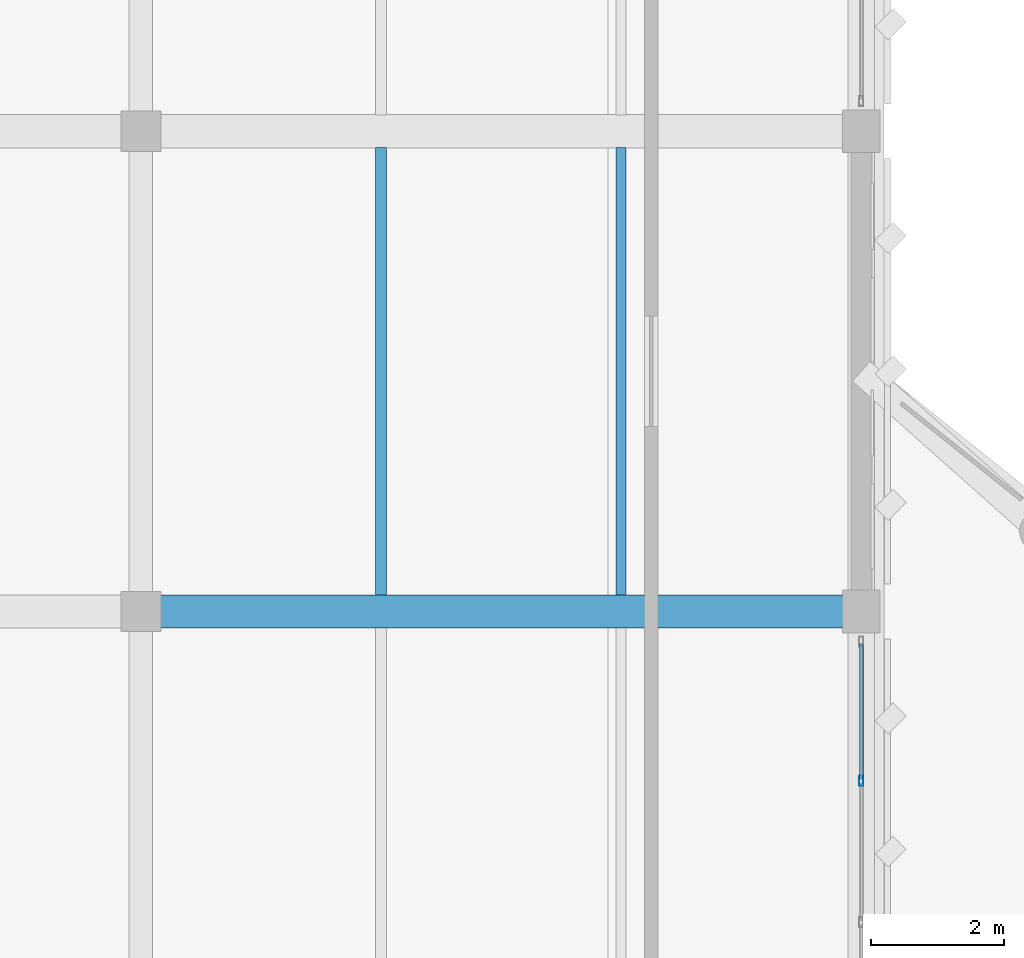
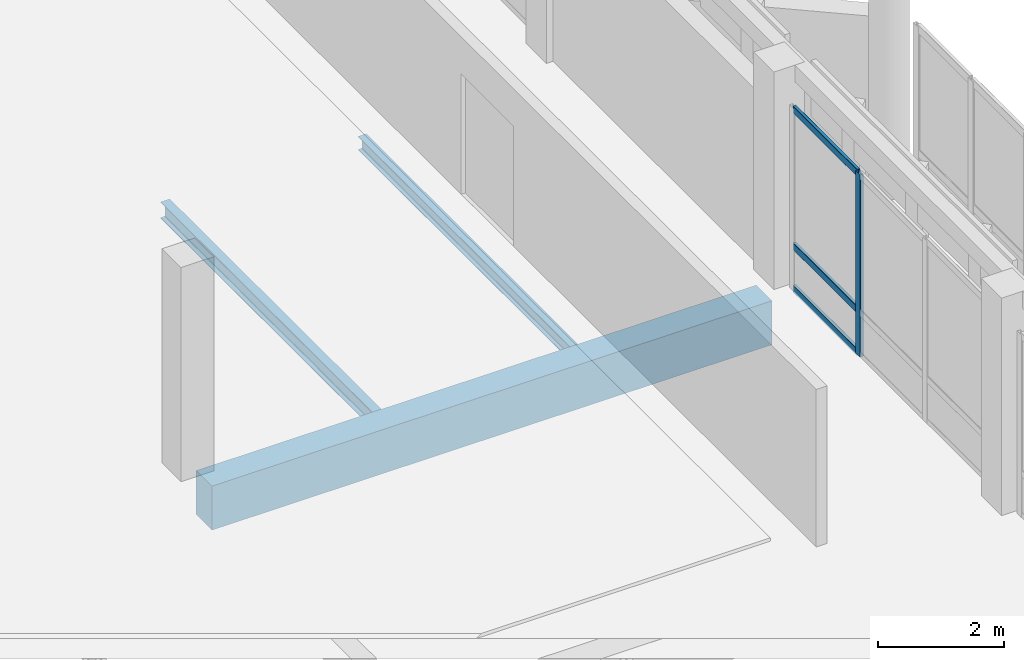
# One storey, part 36 of 158: 4 members, 3 beams, 1 element without a shape of its own.
"""IFC4 building model written with IfcOpenShell, lengths in metres."""

from ifc_helpers import new_model, si_unit, direction, frame, origin, origin_2d, place, context, subcontext, project, spatial, rectangle, hollow_rectangle, i_section, extrude, material, material_profile, profile_set, type_object, element, aggregate, save


model = new_model("IFC4")

# Units and contexts
model_context = context("Model", 3, precision=1e-05, world=origin(), true_north=direction((0.0, 1.0)))
body_context = subcontext(model_context, "Body", "Model", "MODEL_VIEW")
ifc_project = project(units=[si_unit("LENGTHUNIT", "METRE"), si_unit("AREAUNIT", "SQUARE_METRE"), si_unit("VOLUMEUNIT", "CUBIC_METRE"), si_unit("PLANEANGLEUNIT", "RADIAN"), si_unit("MASSUNIT", "GRAM", prefix="KILO")], contexts=[model_context])

# Site, building, storey
site_placement = place(None, origin())
site = spatial("IfcSite", under=ifc_project, at=site_placement, CompositionType="ELEMENT")
building_placement = place(site_placement, origin())
building = spatial("IfcBuilding", under=site, at=building_placement, Name="Lusvemor Sports Hall", CompositionType="ELEMENT")
storey_placement = place(building_placement, frame((0.0, 0.0, 10.800048828125)))
storey = spatial("IfcBuildingStorey", under=building, at=storey_placement, Name="L02", CompositionType="ELEMENT", Elevation=10.800048828125)

# Curtain wall, members
ifc_material_1 = material(Name="Thermally broken bronze-anodized aluminium", Category="aluminium")
curtain_wall_type = type_object("IfcCurtainWallType", Name="CW_WING_B", PredefinedType="NOTDEFINED", material=ifc_material_1)
curtain_wall_placement = place(storey_placement, origin())
curtain_wall = element("IfcCurtainWall", 1, at=curtain_wall_placement, inside=storey, type_object=curtain_wall_type, Name="Curtain Wall CW-L02-E-5-4", PredefinedType="NOTDEFINED")
ifc_material_2 = material(Name="Thermally broken bronze-anodized aluminium", Category="aluminium")
ifc_material_profile_1 = material_profile(ifc_material_2, hollow_rectangle(XDim=0.06494140625, YDim=0.14990234375, WallThickness=0.00390625, InnerFilletRadius=0.00390625, OuterFilletRadius=0.008056640625, at=origin_2d()), Name="CWMUL150x65x4")
ifc_profile_set_1 = profile_set([ifc_material_profile_1], Name="Thermally broken bronze-anodized aluminium")
member_type_1 = type_object("IfcMemberType", Name="CW_MUL_B", PredefinedType="MULLION", material=ifc_profile_set_1)
member_1_placement = place(storey_placement, frame((21.60009765625, 80.260009765625, 0.0), z_axis=(0.0, 0.0, 1.0), x_axis=(1.0, 0.0, 0.0)))
member_1 = element("IfcMember", 2, at=member_1_placement, type_object=member_type_1, Name="CW02 mullion 2", PredefinedType="MULLION", context=body_context, shape_type="SweptSolid", body=[
    extrude(hollow_rectangle(XDim=0.06494140625, YDim=0.14990234375, WallThickness=0.00390625, InnerFilletRadius=0.00390625, OuterFilletRadius=0.008056640625, at=origin_2d()), origin(), (0.0, 0.0, 1.0), 3.52001953125),
])
ifc_material_3 = material(Name="Thermally broken bronze-anodized aluminium", Category="aluminium")
ifc_material_profile_2 = material_profile(ifc_material_3, hollow_rectangle(XDim=0.06005859375, YDim=0.135009765625, WallThickness=0.00390625, InnerFilletRadius=0.00390625, OuterFilletRadius=0.008056640625, at=origin_2d()), Name="CWTRN135x60x4")
ifc_profile_set_2 = profile_set([ifc_material_profile_2], Name="Thermally broken bronze-anodized aluminium")
member_type_2 = type_object("IfcMemberType", Name="CW_TRN_B", PredefinedType="USERDEFINED", material=ifc_profile_set_2)
member_2_placement = place(storey_placement, frame((21.60009765625, 82.31494140625, 0.030029296875), z_axis=(0.0, -1.0, 0.0), x_axis=(1.0, 0.0, 0.0)))
member_2 = element("IfcMember", 3, at=member_2_placement, type_object=member_type_2, Name="CW02 transom 1.1", ObjectType="TRANSOM", PredefinedType="USERDEFINED", context=body_context, shape_type="SweptSolid", body=[
    extrude(hollow_rectangle(XDim=0.06005859375, YDim=0.135009765625, WallThickness=0.00390625, InnerFilletRadius=0.00390625, OuterFilletRadius=0.008056640625, at=origin_2d()), origin(), (0.0, 0.0, 1.0), 2.0224609375),
])
member_3_placement = place(storey_placement, frame((21.60009765625, 82.31494140625, 0.849853515625), z_axis=(0.0, -1.0, 0.0), x_axis=(1.0, 0.0, 0.0)))
member_3 = element("IfcMember", 4, at=member_3_placement, type_object=member_type_2, Name="CW02 transom 1.2", ObjectType="TRANSOM", PredefinedType="USERDEFINED", context=body_context, shape_type="SweptSolid", body=[
    extrude(hollow_rectangle(XDim=0.06005859375, YDim=0.135009765625, WallThickness=0.00390625, InnerFilletRadius=0.00390625, OuterFilletRadius=0.008056640625, at=origin_2d()), origin(), (0.0, 0.0, 1.0), 2.0224609375),
])
member_4_placement = place(storey_placement, frame((21.60009765625, 82.31494140625, 3.489990234375), z_axis=(0.0, -1.0, 0.0), x_axis=(1.0, 0.0, 0.0)))
member_4 = element("IfcMember", 5, at=member_4_placement, type_object=member_type_2, Name="CW02 transom 1.3", ObjectType="TRANSOM", PredefinedType="USERDEFINED", context=body_context, shape_type="SweptSolid", body=[
    extrude(hollow_rectangle(XDim=0.06005859375, YDim=0.135009765625, WallThickness=0.00390625, InnerFilletRadius=0.00390625, OuterFilletRadius=0.008056640625, at=origin_2d()), origin(), (0.0, 0.0, 1.0), 2.0224609375),
])
aggregate(curtain_wall, [member_1, member_2, member_3, member_4])

# Beams
ifc_material_4 = material(Name="Concrete C40/50", Category="concrete")
ifc_material_profile_3 = material_profile(ifc_material_4, rectangle(XDim=0.5, YDim=0.85009765625, at=origin_2d()), Name="RC500x850")
ifc_profile_set_3 = profile_set([ifc_material_profile_3], Name="Concrete C40/50")
beam_type_1 = type_object("IfcBeamType", Name="GIRD_RC_850", PredefinedType="T_BEAM", material=ifc_profile_set_3)
beam_1_placement = place(storey_placement, frame((11.095947265625, 82.800048828125, -0.68505859375), z_axis=(1.0, 0.0, 0.0), x_axis=(0.0, 1.0, 0.0)))
element("IfcBeam", 6, at=beam_1_placement, inside=storey, type_object=beam_type_1, Name="Beam L02 L:2-3", PredefinedType="T_BEAM", context=body_context, shape_type="SweptSolid", body=[
    extrude(rectangle(XDim=0.5, YDim=0.85009765625, at=origin_2d()), origin(), (0.0, 0.0, 1.0), 10.22802734375),
])
ifc_material_5 = material(Name="Steel S355", Category="steel")
ifc_material_profile_4 = material_profile(ifc_material_5, i_section(OverallWidth=0.14794921875, OverallDepth=0.26611328125, WebThickness=0.007568359375, FlangeThickness=0.012939453125, FilletRadius=0.012939453125, at=origin_2d()), Name="W250x44.8")
ifc_profile_set_4 = profile_set([ifc_material_profile_4], Name="Steel S355")
beam_type_2 = type_object("IfcBeamType", Name="JOIST_ST_250M", PredefinedType="JOIST", material=ifc_profile_set_4)
beam_2_placement = place(storey_placement, frame((18.0, 83.0458984375, -0.39697265625), z_axis=(0.0, 1.0, 0.0), x_axis=(-1.0, 0.0, 0.0)))
element("IfcBeam", 7, at=beam_2_placement, inside=storey, type_object=beam_type_2, Name="Secondary Joist L02 2-3/L-M #2", PredefinedType="JOIST", context=body_context, shape_type="SweptSolid", body=[
    extrude(i_section(OverallWidth=0.14794921875, OverallDepth=0.26611328125, WebThickness=0.007568359375, FlangeThickness=0.012939453125, FilletRadius=0.012939453125, at=origin_2d()), origin(), (0.0, 0.0, 1.0), 6.7080078125),
])
ifc_material_6 = material(Name="Steel S355", Category="steel")
ifc_material_profile_5 = material_profile(ifc_material_6, i_section(OverallWidth=0.1669921875, OverallDepth=0.31689453125, WebThickness=0.007568359375, FlangeThickness=0.01318359375, FilletRadius=0.014892578125, at=origin_2d()), Name="W310x52.0")
ifc_profile_set_5 = profile_set([ifc_material_profile_5], Name="Steel S355")
beam_type_3 = type_object("IfcBeamType", Name="JOIST_ST_310M", PredefinedType="JOIST", material=ifc_profile_set_5)
beam_3_placement = place(storey_placement, frame((14.39990234375, 83.0458984375, -0.422607421875), z_axis=(0.0, 1.0, 0.0), x_axis=(-1.0, 0.0, 0.0)))
element("IfcBeam", 8, at=beam_3_placement, inside=storey, type_object=beam_type_3, Name="Secondary Joist L02 2-3/L-M #1", PredefinedType="JOIST", context=body_context, shape_type="SweptSolid", body=[
    extrude(i_section(OverallWidth=0.1669921875, OverallDepth=0.31689453125, WebThickness=0.007568359375, FlangeThickness=0.01318359375, FilletRadius=0.014892578125, at=origin_2d()), origin(), (0.0, 0.0, 1.0), 6.7080078125),
])

save(model, "model.ifc")
